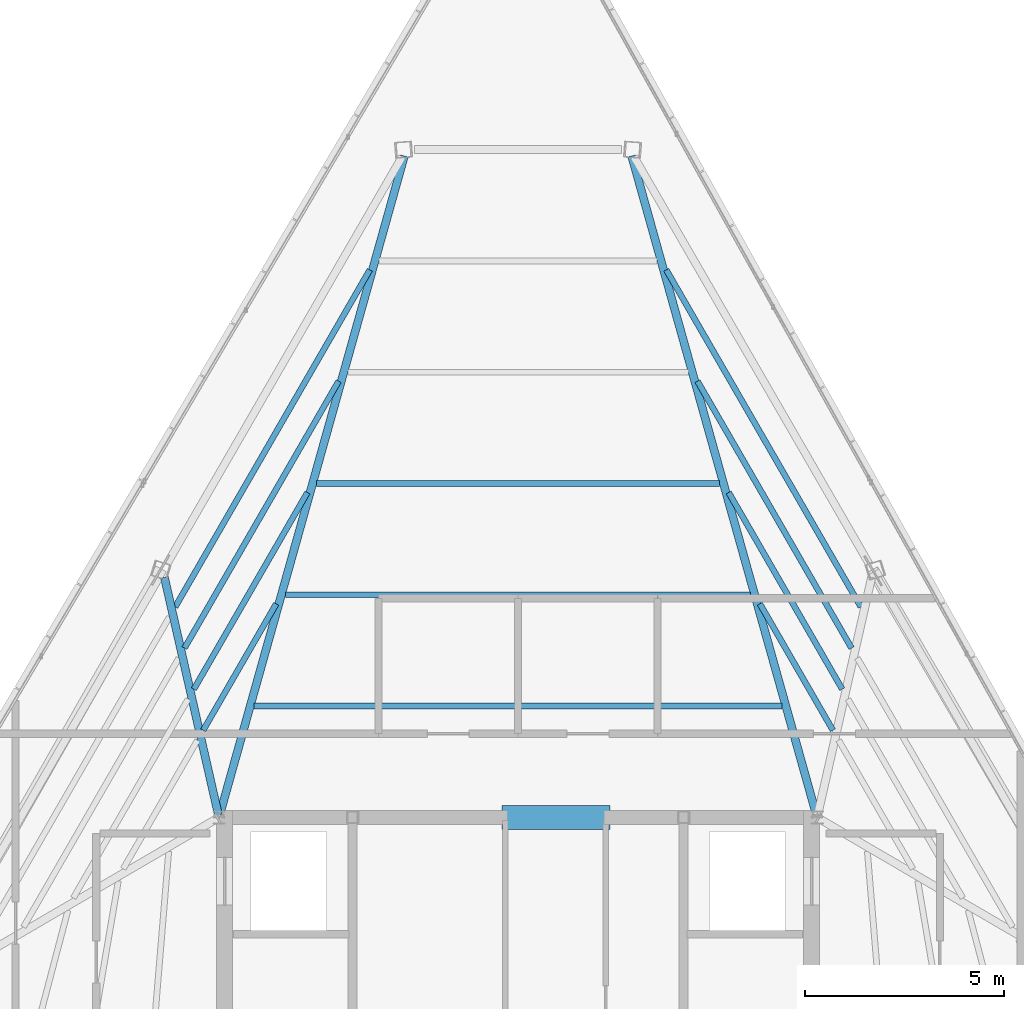
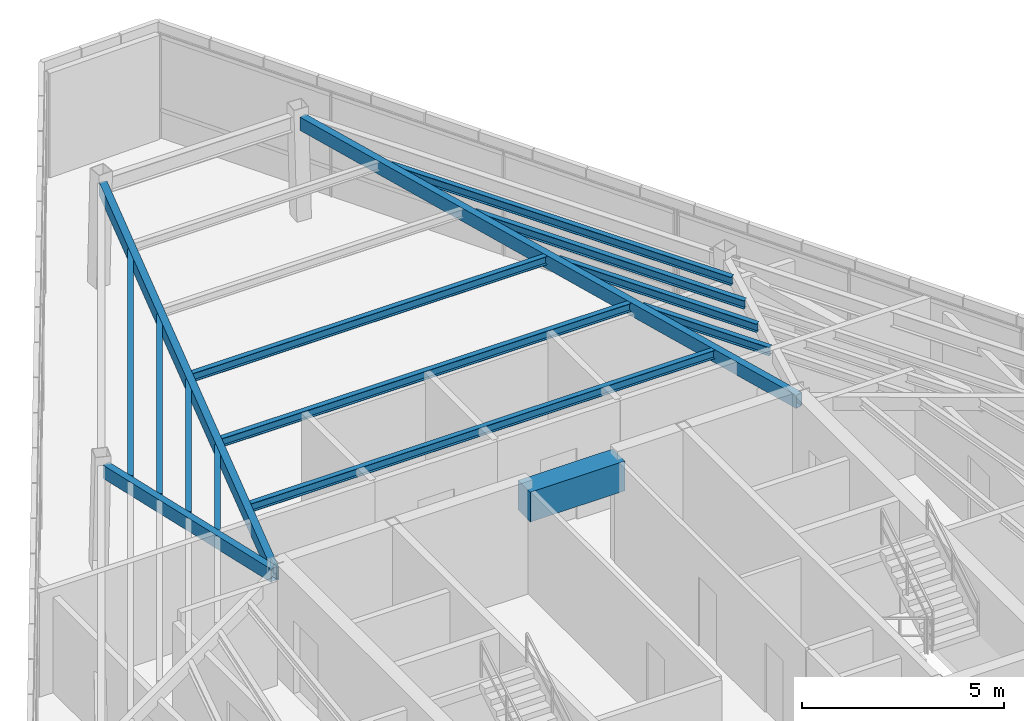
# One storey, part 20 of 44: 15 beams.
"""IFC4 building model written with IfcOpenShell, lengths in metres."""

from ifc_helpers import new_model, si_unit, direction, frame, origin, origin_2d, place, context, subcontext, project, spatial, rectangle, hollow_rectangle, i_section, extrude, source, transform, mapped, material, material_profile, profile_set, type_object, type_shapes, element, save


model = new_model("IFC4")

# Units and contexts
model_context = context("Model", 3, precision=1e-05, world=origin(), true_north=direction((0.0, 1.0)))
body_context = subcontext(model_context, "Body", "Model", "MODEL_VIEW")
ifc_project = project(units=[si_unit("LENGTHUNIT", "METRE"), si_unit("AREAUNIT", "SQUARE_METRE"), si_unit("VOLUMEUNIT", "CUBIC_METRE"), si_unit("PLANEANGLEUNIT", "RADIAN"), si_unit("MASSUNIT", "GRAM", prefix="KILO")], contexts=[model_context])

# Site, building, storey
site_placement = place(None, origin())
site = spatial("IfcSite", under=ifc_project, at=site_placement, CompositionType="ELEMENT")
building_placement = place(site_placement, origin())
building = spatial("IfcBuilding", under=site, at=building_placement, Name="Caelisora Broadcast Tower", CompositionType="ELEMENT")
storey_placement = place(building_placement, frame((0.0, 0.0, 296.60009765625)))
storey = spatial("IfcBuildingStorey", under=building, at=storey_placement, Name="L78", CompositionType="ELEMENT", Elevation=296.60009765625)

# Beams
ifc_material_1 = material(Name="Concrete 50 MPa (AS 3600 S50)", Category="concrete")
ifc_material_profile_1 = material_profile(ifc_material_1, rectangle(XDim=0.60009765625, YDim=0.89990234375, at=origin_2d()), Name="Concrete 50 MPa (AS 3600 S50)")
ifc_profile_set_1 = profile_set([ifc_material_profile_1], Name="Concrete 50 MPa (AS 3600 S50)")
beam_type_1 = type_object("IfcBeamType", Name="CB02", PredefinedType="LINTEL", material=ifc_profile_set_1)
shared_shape_1 = source(origin(), body_context, "Body", "SweptSolid", [
    extrude(rectangle(XDim=0.60009765625, YDim=0.89990234375, at=origin_2d()), origin(), (0.0, 0.0, 1.0), 2.699951171875),
])
type_shapes(beam_type_1, [shared_shape_1])
beam_1_placement = place(storey_placement, frame((37.60009765625, 30.0, 2.699951171875), z_axis=(1.0, 0.0, 0.0), x_axis=(0.0, 1.0, 0.0)))
element("IfcBeam", 1, at=beam_1_placement, inside=storey, type_object=beam_type_1, Name="L78 beam CB02", PredefinedType="LINTEL", context=body_context, shape_type="MappedRepresentation", body=[
    mapped(shared_shape_1, transform((0.0, 0.0, 0.0), scale=1.0)),
])
ifc_material_2 = material(Name="Steel Grade 350 (AS/NZS 1163 C350L0)", Category="steel")
ifc_material_profile_2 = material_profile(ifc_material_2, hollow_rectangle(XDim=0.199951171875, YDim=0.39990234375, WallThickness=0.012451171875, at=origin_2d()), Name="Steel Grade 350 (AS/NZS 1163 C350L0)")
ifc_profile_set_2 = profile_set([ifc_material_profile_2], Name="Steel Grade 350 (AS/NZS 1163 C350L0)")
beam_type_2 = type_object("IfcBeamType", Name="PG07", PredefinedType="BEAM", material=ifc_profile_set_2)
shared_shape_2 = source(origin(), body_context, "Body", "SweptSolid", [
    extrude(hollow_rectangle(XDim=0.199951171875, YDim=0.39990234375, WallThickness=0.012451171875, at=origin_2d()), origin(), (0.0, 0.0, 1.0), 17.1689453125),
])
for number, where, z_axis, x_axis, name in (
    (2, (45.48388671875, 30.057861328125, 2.949951171875), (-0.26990787742, 0.962886149919, 0.0), (-0.962886149919, -0.26990787742, 0.0), "L78 beam PG07"),
    (3, (30.51611328125, 30.057861328125, 2.949951171875), (0.26990787742, 0.962886149919, 0.0), (-0.962886149919, 0.26990787742, 0.0), "L78 beam PG07"),
):
    element("IfcBeam", number, at=place(storey_placement, frame(where, z_axis=z_axis, x_axis=x_axis)), inside=storey, type_object=beam_type_2, Name=name, PredefinedType="BEAM", context=body_context, shape_type="MappedRepresentation", body=[
        mapped(shared_shape_2, transform((0.0, 0.0, 0.0), scale=1.0)),
    ])
shared_shape_3 = source(origin(), body_context, "Body", "SweptSolid", [
    extrude(hollow_rectangle(XDim=0.199951171875, YDim=0.39990234375, WallThickness=0.012451171875, at=origin_2d()), origin(), (0.0, 0.0, 1.0), 6.11474609375),
])
type_shapes(beam_type_2, [shared_shape_2, shared_shape_3])
beam_2_placement = place(storey_placement, frame((30.48681640625, 30.05859375, 2.949951171875), z_axis=(-0.221510657934, 0.975157950499, 0.0), x_axis=(-0.975157950499, -0.221510657934, 0.0)))
element("IfcBeam", 4, at=beam_2_placement, inside=storey, type_object=beam_type_2, Name="L78 beam PG07", PredefinedType="BEAM", context=body_context, shape_type="MappedRepresentation", body=[
    mapped(shared_shape_3, transform((0.0, 0.0, 0.0), scale=1.0)),
])
ifc_material_3 = material(Name="Steel Grade 350 (AS/NZS 3679.1)", Category="steel")
ifc_material_profile_3 = material_profile(ifc_material_3, i_section(OverallWidth=0.14599609375, OverallDepth=0.256103515625, WebThickness=0.00634765625, FlangeThickness=0.010986328125, at=origin_2d()), Name="Steel Grade 350 (AS/NZS 3679.1)")
ifc_profile_set_3 = profile_set([ifc_material_profile_3], Name="Steel Grade 350 (AS/NZS 3679.1)")
beam_type_3 = type_object("IfcBeamType", Name="SB04", PredefinedType="JOIST", material=ifc_profile_set_3)
shared_shape_4 = source(origin(), body_context, "Body", "SweptSolid", [
    extrude(i_section(OverallWidth=0.14599609375, OverallDepth=0.256103515625, WebThickness=0.00634765625, FlangeThickness=0.010986328125, at=origin_2d()), origin(), (0.0, 0.0, 1.0), 13.23291015625),
])
beam_3_placement = place(storey_placement, frame((44.616455078125, 32.7919921875, 3.021728515625), z_axis=(-1.0, 0.0, 0.0), x_axis=(0.0, -1.0, 0.0)))
element("IfcBeam", 5, at=beam_3_placement, inside=storey, type_object=beam_type_3, Name="L78 beam SB04", PredefinedType="JOIST", context=body_context, shape_type="MappedRepresentation", body=[
    mapped(shared_shape_4, transform((0.0, 0.0, 0.0), scale=1.0)),
])
shared_shape_5 = source(origin(), body_context, "Body", "SweptSolid", [
    extrude(i_section(OverallWidth=0.14599609375, OverallDepth=0.256103515625, WebThickness=0.00634765625, FlangeThickness=0.010986328125, at=origin_2d()), origin(), (0.0, 0.0, 1.0), 11.66796875),
])
beam_4_placement = place(storey_placement, frame((43.833984375, 35.583740234375, 3.021728515625), z_axis=(-1.0, 0.0, 0.0), x_axis=(0.0, -1.0, 0.0)))
element("IfcBeam", 6, at=beam_4_placement, inside=storey, type_object=beam_type_3, Name="L78 beam SB04", PredefinedType="JOIST", context=body_context, shape_type="MappedRepresentation", body=[
    mapped(shared_shape_5, transform((0.0, 0.0, 0.0), scale=1.0)),
])
shared_shape_6 = source(origin(), body_context, "Body", "SweptSolid", [
    extrude(i_section(OverallWidth=0.14599609375, OverallDepth=0.256103515625, WebThickness=0.00634765625, FlangeThickness=0.010986328125, at=origin_2d()), origin(), (0.0, 0.0, 1.0), 10.1025390625),
])
beam_5_placement = place(storey_placement, frame((43.05126953125, 38.375732421875, 3.021728515625), z_axis=(-1.0, 0.0, 0.0), x_axis=(0.0, -1.0, 0.0)))
element("IfcBeam", 7, at=beam_5_placement, inside=storey, type_object=beam_type_3, Name="L78 beam SB04", PredefinedType="JOIST", context=body_context, shape_type="MappedRepresentation", body=[
    mapped(shared_shape_6, transform((0.0, 0.0, 0.0), scale=1.0)),
])
shared_shape_7 = source(origin(), body_context, "Body", "SweptSolid", [
    extrude(i_section(OverallWidth=0.14599609375, OverallDepth=0.256103515625, WebThickness=0.00634765625, FlangeThickness=0.010986328125, at=origin_2d()), origin(), (0.0, 0.0, 1.0), 3.66259765625),
])
for number, where, z_axis, x_axis, name in (
    (8, (31.93505859375, 35.3583984375, 3.021728515625), (-0.500003264717, -0.866023518891, 0.0), (0.866023518891, -0.500003264717, 0.0), "L78 beam SB04"),
    (9, (45.896240234375, 32.1865234375, 3.021728515625), (-0.500003264717, 0.866023518891, 0.0), (-0.866023518891, -0.500003264717, 0.0), "L78 beam SB04"),
):
    element("IfcBeam", number, at=place(storey_placement, frame(where, z_axis=z_axis, x_axis=x_axis)), inside=storey, type_object=beam_type_3, Name=name, PredefinedType="JOIST", context=body_context, shape_type="MappedRepresentation", body=[
        mapped(shared_shape_7, transform((0.0, 0.0, 0.0), scale=1.0)),
    ])
shared_shape_8 = source(origin(), body_context, "Body", "SweptSolid", [
    extrude(i_section(OverallWidth=0.14599609375, OverallDepth=0.256103515625, WebThickness=0.00634765625, FlangeThickness=0.010986328125, at=origin_2d()), origin(), (0.0, 0.0, 1.0), 5.696044921875),
])
for number, where, z_axis, x_axis, name in (
    (10, (32.7177734375, 38.150390625, 3.021728515625), (-0.500020502941, -0.866013566082, 0.0), (0.866013566082, -0.500020502941, 0.0), "L78 beam SB04"),
    (11, (46.13037109375, 33.217529296875, 3.021728515625), (-0.500020502941, 0.866013566082, 0.0), (-0.866013566082, -0.500020502941, 0.0), "L78 beam SB04"),
):
    element("IfcBeam", number, at=place(storey_placement, frame(where, z_axis=z_axis, x_axis=x_axis)), inside=storey, type_object=beam_type_3, Name=name, PredefinedType="JOIST", context=body_context, shape_type="MappedRepresentation", body=[
        mapped(shared_shape_8, transform((0.0, 0.0, 0.0), scale=1.0)),
    ])
shared_shape_9 = source(origin(), body_context, "Body", "SweptSolid", [
    extrude(i_section(OverallWidth=0.14599609375, OverallDepth=0.256103515625, WebThickness=0.00634765625, FlangeThickness=0.010986328125, at=origin_2d()), origin(), (0.0, 0.0, 1.0), 7.729736328125),
])
for number, where, z_axis, x_axis, name in (
    (12, (33.500244140625, 40.9423828125, 3.021728515625), (-0.499991305458, -0.866030423522, 0.0), (0.866030423522, -0.499991305458, 0.0), "L78 beam SB04"),
    (13, (46.364501953125, 34.248291015625, 3.021728515625), (-0.499991305458, 0.866030423522, 0.0), (-0.866030423522, -0.499991305458, 0.0), "L78 beam SB04"),
):
    element("IfcBeam", number, at=place(storey_placement, frame(where, z_axis=z_axis, x_axis=x_axis)), inside=storey, type_object=beam_type_3, Name=name, PredefinedType="JOIST", context=body_context, shape_type="MappedRepresentation", body=[
        mapped(shared_shape_9, transform((0.0, 0.0, 0.0), scale=1.0)),
    ])
shared_shape_10 = source(origin(), body_context, "Body", "SweptSolid", [
    extrude(i_section(OverallWidth=0.14599609375, OverallDepth=0.256103515625, WebThickness=0.00634765625, FlangeThickness=0.010986328125, at=origin_2d()), origin(), (0.0, 0.0, 1.0), 9.7626953125),
])
type_shapes(beam_type_3, [shared_shape_4, shared_shape_5, shared_shape_6, shared_shape_7, shared_shape_8, shared_shape_9, shared_shape_10])
for number, where, z_axis, x_axis, name in (
    (14, (34.28271484375, 43.734130859375, 3.021728515625), (-0.499995926825, -0.86602775542, 0.0), (0.86602775542, -0.499995926825, 0.0), "L78 beam SB04"),
    (15, (46.5986328125, 35.279296875, 3.021728515625), (-0.499995926825, 0.86602775542, 0.0), (-0.86602775542, -0.499995926825, 0.0), "L78 beam SB04"),
):
    element("IfcBeam", number, at=place(storey_placement, frame(where, z_axis=z_axis, x_axis=x_axis)), inside=storey, type_object=beam_type_3, Name=name, PredefinedType="JOIST", context=body_context, shape_type="MappedRepresentation", body=[
        mapped(shared_shape_10, transform((0.0, 0.0, 0.0), scale=1.0)),
    ])

save(model, "model.ifc")
